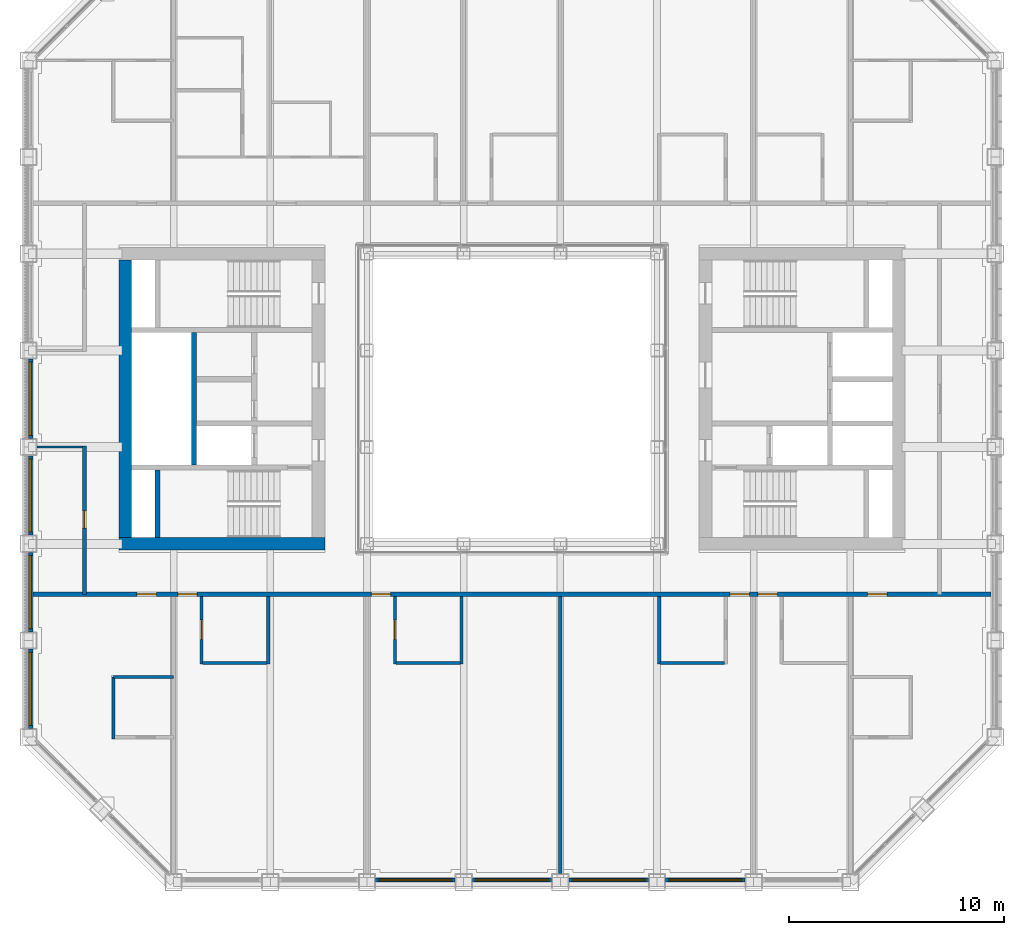
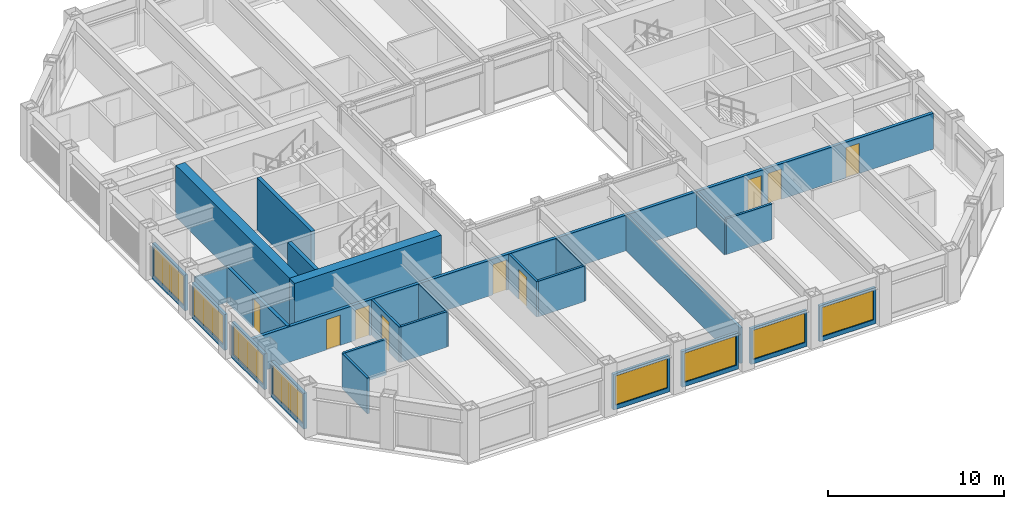
# One storey, part 10 of 17: 26 walls, 9 doors, 8 windows, 17 openings.
"""IFC4 building model written with IfcOpenShell, lengths in metres."""

from ifc_helpers import new_model, si_unit, direction, frame, frame_2d, origin, place, context, subcontext, project, spatial, rectangle, extrude, material, layer, layer_set, type_object, element, fill, save


model = new_model("IFC4")

# Units and contexts
model_context = context("Model", 3, precision=1e-05, world=origin(), true_north=direction((0.0, 1.0)))
body_context = subcontext(model_context, "Body", "Model", "MODEL_VIEW")
ifc_project = project(units=[si_unit("LENGTHUNIT", "METRE"), si_unit("AREAUNIT", "SQUARE_METRE"), si_unit("VOLUMEUNIT", "CUBIC_METRE"), si_unit("PLANEANGLEUNIT", "RADIAN"), si_unit("MASSUNIT", "GRAM", prefix="KILO")], contexts=[model_context])

# Site, building, storey
site_placement = place(None, origin())
site = spatial("IfcSite", under=ifc_project, at=site_placement, CompositionType="ELEMENT")
building_placement = place(site_placement, origin())
building = spatial("IfcBuilding", under=site, at=building_placement, Name="Msasa Ring Tower", CompositionType="ELEMENT")
storey_placement = place(building_placement, frame((0.0, 0.0, 176.0)))
storey = spatial("IfcBuildingStorey", under=building, at=storey_placement, Name="L46", CompositionType="ELEMENT", Elevation=176.0)

# Walls
ifc_material_1 = material(Name="Concrete C60/75", Category="concrete")
ifc_layer_1 = layer(ifc_material_1, 0.60009765625)
ifc_layer_set_1 = layer_set([ifc_layer_1], Name="CW2 CORE WALL 600")
wall_type_1 = type_object("IfcWallType", Name="CW2 CORE WALL 600", PredefinedType="SHEAR", material=ifc_layer_set_1)
wall_1_placement = place(storey_placement, frame((-8.699951171875, -6.75, 0.0), z_axis=(0.0, 0.0, 1.0), x_axis=(-1.0, 0.0, 0.0)))
element("IfcWall", 1, at=wall_1_placement, inside=storey, type_object=wall_type_1, Name="W core wall S L46", PredefinedType="SHEAR", context=body_context, shape_type="SweptSolid", body=[
    extrude(rectangle(XDim=9.60009765625, YDim=0.60009765625, at=frame_2d((4.800048828125, 0.0))), origin(), (0.0, 0.0, 1.0), 3.60009765625),
])
wall_2_placement = place(storey_placement, frame((-18.0, -6.449951171875, 0.0), z_axis=(0.0, 0.0, 1.0), x_axis=(0.0, 1.0, 0.0)))
element("IfcWall", 2, at=wall_2_placement, inside=storey, type_object=wall_type_1, Name="W core wall E L46", PredefinedType="SHEAR", context=body_context, shape_type="SweptSolid", body=[
    extrude(rectangle(XDim=12.89990234375, YDim=0.60009765625, at=frame_2d((6.449951171875, 0.0))), origin(), (0.0, 0.0, 1.0), 3.60009765625),
])
ifc_material_2 = material(Name="Concrete C60/75", Category="concrete")
ifc_layer_2 = layer(ifc_material_2, 0.25)
ifc_layer_set_2 = layer_set([ifc_layer_2], Name="CW4 CORE INNER WALL 250")
wall_type_2 = type_object("IfcWallType", Name="CW4 CORE INNER WALL 250", PredefinedType="SHEAR", material=ifc_layer_set_2)
wall_3_placement = place(storey_placement, frame((-16.5, -6.449951171875, 0.0), z_axis=(0.0, 0.0, 1.0), x_axis=(0.0, 1.0, 0.0)))
element("IfcWall", 3, at=wall_3_placement, inside=storey, type_object=wall_type_2, Name="W core wall RISERA L46", PredefinedType="SHEAR", context=body_context, shape_type="SweptSolid", body=[
    extrude(rectangle(XDim=3.125, YDim=0.25, at=frame_2d((1.5625, 0.0))), origin(), (0.0, 0.0, 1.0), 3.60009765625),
])
wall_4_placement = place(storey_placement, frame((-14.800048828125, -3.074951171875, 0.0), z_axis=(0.0, 0.0, 1.0), x_axis=(0.0, 1.0, 0.0)))
element("IfcWall", 4, at=wall_4_placement, inside=storey, type_object=wall_type_2, Name="W core wall SHAFT L46", PredefinedType="SHEAR", context=body_context, shape_type="SweptSolid", body=[
    extrude(rectangle(XDim=6.14990234375, YDim=0.25, at=frame_2d((3.074951171875, 0.0))), origin(), (0.0, 0.0, 1.0), 3.60009765625),
])

# Wall, opening, window
ifc_material_3 = material(Name="Terracotta rainscreen on blockwork", Category="masonry")
ifc_layer_3 = layer(ifc_material_3, 0.199951171875)
ifc_layer_set_3 = layer_set([ifc_layer_3], Name="FW1 TERRACOTTA-LINED INFILL BAY WALL 200")
wall_type_3 = type_object("IfcWallType", Name="FW1 TERRACOTTA-LINED INFILL BAY WALL 200", PredefinedType="SOLIDWALL", material=ifc_layer_set_3)
wall_5_placement = place(storey_placement, frame((-6.344970703125, -22.39990234375, 0.0), z_axis=(0.0, 0.0, 1.0), x_axis=(1.0, 0.0, 0.0)))
wall_5 = element("IfcWall", 5, at=wall_5_placement, inside=storey, type_object=wall_type_3, Name="Infill bay wall S L46 02", PredefinedType="SOLIDWALL", context=body_context, shape_type="SweptSolid", body=[
    extrude(rectangle(XDim=3.68994140625, YDim=0.199951171875, at=frame_2d((1.844970703125, 0.0))), origin(), (0.0, 0.0, 1.0), 2.47900390625),
])
opening_1_placement = place(wall_5_placement, frame((0.14501953125, 0.0, 0.300048828125)))
opening_1 = element("IfcOpeningElement", 6, at=opening_1_placement, cuts=wall_5, Name="Opening WN2", PredefinedType="OPENING", context=body_context, shape_type="SweptSolid", body=[
    extrude(rectangle(XDim=3.39990234375, YDim=2.029052734375, at=frame_2d((1.699951171875, 1.0146484375))), frame((0.0, 0.10986328125, 0.0), z_axis=(0.0, -1.0, 0.0), x_axis=(1.0, 0.0, 0.0)), (0.0, 0.0, 1.0), 0.219970703125),
])
ifc_material_4 = material(Name="Aluminium frame with clear glass", Category="aluminium")
window_type = type_object("IfcWindowType", Name="WN2 GUEST ROOM WINDOW 3400x2029", PartitioningType="SINGLE_PANEL", PredefinedType="WINDOW", material=ifc_material_4)
window_1_placement = place(opening_1_placement, origin())
window_1 = element("IfcWindow", 7, at=window_1_placement, inside=storey, type_object=window_type, Name="Window S L46 02", OverallHeight=2.029052734375, OverallWidth=3.39990234375, PartitioningType="SINGLE_PANEL", PredefinedType="WINDOW", context=body_context, shape_type="SweptSolid", body=[
    extrude(rectangle(XDim=3.39990234375, YDim=2.029052734375, at=frame_2d((1.699951171875, 1.0146484375))), frame((0.0, 0.030029296875, 0.0), z_axis=(0.0, -1.0, 0.0), x_axis=(1.0, 0.0, 0.0)), (0.0, 0.0, 1.0), 0.06005859375),
])
fill(opening_1, window_1)

wall_6_placement = place(storey_placement, frame((-1.844970703125, -22.39990234375, 0.0), z_axis=(0.0, 0.0, 1.0), x_axis=(1.0, 0.0, 0.0)))
wall_6 = element("IfcWall", 8, at=wall_6_placement, inside=storey, type_object=wall_type_3, Name="Infill bay wall S L46 03", PredefinedType="SOLIDWALL", context=body_context, shape_type="SweptSolid", body=[
    extrude(rectangle(XDim=3.68994140625, YDim=0.199951171875, at=frame_2d((1.844970703125, 0.0))), origin(), (0.0, 0.0, 1.0), 2.47900390625),
])
opening_2_placement = place(wall_6_placement, frame((0.14501953125, 0.0, 0.300048828125)))
opening_2 = element("IfcOpeningElement", 9, at=opening_2_placement, cuts=wall_6, Name="Opening WN2", PredefinedType="OPENING", context=body_context, shape_type="SweptSolid", body=[
    extrude(rectangle(XDim=3.39990234375, YDim=2.029052734375, at=frame_2d((1.699951171875, 1.0146484375))), frame((0.0, 0.10986328125, 0.0), z_axis=(0.0, -1.0, 0.0), x_axis=(1.0, 0.0, 0.0)), (0.0, 0.0, 1.0), 0.219970703125),
])
window_2_placement = place(opening_2_placement, origin())
window_2 = element("IfcWindow", 10, at=window_2_placement, inside=storey, type_object=window_type, Name="Window S L46 03", OverallHeight=2.029052734375, OverallWidth=3.39990234375, PartitioningType="SINGLE_PANEL", PredefinedType="WINDOW", context=body_context, shape_type="SweptSolid", body=[
    extrude(rectangle(XDim=3.39990234375, YDim=2.029052734375, at=frame_2d((1.699951171875, 1.0146484375))), frame((0.0, 0.030029296875, 0.0), z_axis=(0.0, -1.0, 0.0), x_axis=(1.0, 0.0, 0.0)), (0.0, 0.0, 1.0), 0.06005859375),
])
fill(opening_2, window_2)

wall_7_placement = place(storey_placement, frame((2.655029296875, -22.39990234375, 0.0), z_axis=(0.0, 0.0, 1.0), x_axis=(1.0, 0.0, 0.0)))
wall_7 = element("IfcWall", 11, at=wall_7_placement, inside=storey, type_object=wall_type_3, Name="Infill bay wall S L46 04", PredefinedType="SOLIDWALL", context=body_context, shape_type="SweptSolid", body=[
    extrude(rectangle(XDim=3.68994140625, YDim=0.199951171875, at=frame_2d((1.844970703125, 0.0))), origin(), (0.0, 0.0, 1.0), 2.47900390625),
])
opening_3_placement = place(wall_7_placement, frame((0.14501953125, 0.0, 0.300048828125)))
opening_3 = element("IfcOpeningElement", 12, at=opening_3_placement, cuts=wall_7, Name="Opening WN2", PredefinedType="OPENING", context=body_context, shape_type="SweptSolid", body=[
    extrude(rectangle(XDim=3.39990234375, YDim=2.029052734375, at=frame_2d((1.699951171875, 1.0146484375))), frame((0.0, 0.10986328125, 0.0), z_axis=(0.0, -1.0, 0.0), x_axis=(1.0, 0.0, 0.0)), (0.0, 0.0, 1.0), 0.219970703125),
])
window_3_placement = place(opening_3_placement, origin())
window_3 = element("IfcWindow", 13, at=window_3_placement, inside=storey, type_object=window_type, Name="Window S L46 04", OverallHeight=2.029052734375, OverallWidth=3.39990234375, PartitioningType="SINGLE_PANEL", PredefinedType="WINDOW", context=body_context, shape_type="SweptSolid", body=[
    extrude(rectangle(XDim=3.39990234375, YDim=2.029052734375, at=frame_2d((1.699951171875, 1.0146484375))), frame((0.0, 0.030029296875, 0.0), z_axis=(0.0, -1.0, 0.0), x_axis=(1.0, 0.0, 0.0)), (0.0, 0.0, 1.0), 0.06005859375),
])
fill(opening_3, window_3)

wall_8_placement = place(storey_placement, frame((7.155029296875, -22.39990234375, 0.0), z_axis=(0.0, 0.0, 1.0), x_axis=(1.0, 0.0, 0.0)))
wall_8 = element("IfcWall", 14, at=wall_8_placement, inside=storey, type_object=wall_type_3, Name="Infill bay wall S L46 05", PredefinedType="SOLIDWALL", context=body_context, shape_type="SweptSolid", body=[
    extrude(rectangle(XDim=3.68994140625, YDim=0.199951171875, at=frame_2d((1.844970703125, 0.0))), origin(), (0.0, 0.0, 1.0), 2.47900390625),
])
opening_4_placement = place(wall_8_placement, frame((0.14501953125, 0.0, 0.300048828125)))
opening_4 = element("IfcOpeningElement", 15, at=opening_4_placement, cuts=wall_8, Name="Opening WN2", PredefinedType="OPENING", context=body_context, shape_type="SweptSolid", body=[
    extrude(rectangle(XDim=3.39990234375, YDim=2.029052734375, at=frame_2d((1.699951171875, 1.0146484375))), frame((0.0, 0.10986328125, 0.0), z_axis=(0.0, -1.0, 0.0), x_axis=(1.0, 0.0, 0.0)), (0.0, 0.0, 1.0), 0.219970703125),
])
window_4_placement = place(opening_4_placement, origin())
window_4 = element("IfcWindow", 16, at=window_4_placement, inside=storey, type_object=window_type, Name="Window S L46 05", OverallHeight=2.029052734375, OverallWidth=3.39990234375, PartitioningType="SINGLE_PANEL", PredefinedType="WINDOW", context=body_context, shape_type="SweptSolid", body=[
    extrude(rectangle(XDim=3.39990234375, YDim=2.029052734375, at=frame_2d((1.699951171875, 1.0146484375))), frame((0.0, 0.030029296875, 0.0), z_axis=(0.0, -1.0, 0.0), x_axis=(1.0, 0.0, 0.0)), (0.0, 0.0, 1.0), 0.06005859375),
])
fill(opening_4, window_4)

wall_9_placement = place(storey_placement, frame((-22.39990234375, -15.344970703125, 0.0), z_axis=(0.0, 0.0, 1.0), x_axis=(0.0, 1.0, 0.0)))
wall_9 = element("IfcWall", 17, at=wall_9_placement, inside=storey, type_object=wall_type_3, Name="Infill bay wall W L46 27", PredefinedType="SOLIDWALL", context=body_context, shape_type="SweptSolid", body=[
    extrude(rectangle(XDim=3.68994140625, YDim=0.199951171875, at=frame_2d((1.844970703125, 0.0))), origin(), (0.0, 0.0, 1.0), 2.47900390625),
])
opening_5_placement = place(wall_9_placement, frame((0.14501953125, 0.0, 0.300048828125)))
opening_5 = element("IfcOpeningElement", 18, at=opening_5_placement, cuts=wall_9, Name="Opening WN2", PredefinedType="OPENING", context=body_context, shape_type="SweptSolid", body=[
    extrude(rectangle(XDim=3.39990234375, YDim=2.029052734375, at=frame_2d((1.699951171875, 1.0146484375))), frame((0.0, 0.10986328125, 0.0), z_axis=(0.0, -1.0, 0.0), x_axis=(1.0, 0.0, 0.0)), (0.0, 0.0, 1.0), 0.219970703125),
])
window_5_placement = place(opening_5_placement, origin())
window_5 = element("IfcWindow", 19, at=window_5_placement, inside=storey, type_object=window_type, Name="Window W L46 27", OverallHeight=2.029052734375, OverallWidth=3.39990234375, PartitioningType="SINGLE_PANEL", PredefinedType="WINDOW", context=body_context, shape_type="SweptSolid", body=[
    extrude(rectangle(XDim=3.39990234375, YDim=2.029052734375, at=frame_2d((1.699951171875, 1.0146484375))), frame((0.0, 0.030029296875, 0.0), z_axis=(0.0, -1.0, 0.0), x_axis=(1.0, 0.0, 0.0)), (0.0, 0.0, 1.0), 0.06005859375),
])
fill(opening_5, window_5)

wall_10_placement = place(storey_placement, frame((-22.39990234375, -10.844970703125, 0.0), z_axis=(0.0, 0.0, 1.0), x_axis=(0.0, 1.0, 0.0)))
wall_10 = element("IfcWall", 20, at=wall_10_placement, inside=storey, type_object=wall_type_3, Name="Infill bay wall W L46 28", PredefinedType="SOLIDWALL", context=body_context, shape_type="SweptSolid", body=[
    extrude(rectangle(XDim=3.68994140625, YDim=0.199951171875, at=frame_2d((1.844970703125, 0.0))), origin(), (0.0, 0.0, 1.0), 2.47900390625),
])
opening_6_placement = place(wall_10_placement, frame((0.14501953125, 0.0, 0.300048828125)))
opening_6 = element("IfcOpeningElement", 21, at=opening_6_placement, cuts=wall_10, Name="Opening WN2", PredefinedType="OPENING", context=body_context, shape_type="SweptSolid", body=[
    extrude(rectangle(XDim=3.39990234375, YDim=2.029052734375, at=frame_2d((1.699951171875, 1.0146484375))), frame((0.0, 0.10986328125, 0.0), z_axis=(0.0, -1.0, 0.0), x_axis=(1.0, 0.0, 0.0)), (0.0, 0.0, 1.0), 0.219970703125),
])
window_6_placement = place(opening_6_placement, origin())
window_6 = element("IfcWindow", 22, at=window_6_placement, inside=storey, type_object=window_type, Name="Window W L46 28", OverallHeight=2.029052734375, OverallWidth=3.39990234375, PartitioningType="SINGLE_PANEL", PredefinedType="WINDOW", context=body_context, shape_type="SweptSolid", body=[
    extrude(rectangle(XDim=3.39990234375, YDim=2.029052734375, at=frame_2d((1.699951171875, 1.0146484375))), frame((0.0, 0.030029296875, 0.0), z_axis=(0.0, -1.0, 0.0), x_axis=(1.0, 0.0, 0.0)), (0.0, 0.0, 1.0), 0.06005859375),
])
fill(opening_6, window_6)

wall_11_placement = place(storey_placement, frame((-22.39990234375, -6.344970703125, 0.0), z_axis=(0.0, 0.0, 1.0), x_axis=(0.0, 1.0, 0.0)))
wall_11 = element("IfcWall", 23, at=wall_11_placement, inside=storey, type_object=wall_type_3, Name="Infill bay wall W L46 29", PredefinedType="SOLIDWALL", context=body_context, shape_type="SweptSolid", body=[
    extrude(rectangle(XDim=3.68994140625, YDim=0.199951171875, at=frame_2d((1.844970703125, 0.0))), origin(), (0.0, 0.0, 1.0), 2.47900390625),
])
opening_7_placement = place(wall_11_placement, frame((0.14501953125, 0.0, 0.300048828125)))
opening_7 = element("IfcOpeningElement", 24, at=opening_7_placement, cuts=wall_11, Name="Opening WN2", PredefinedType="OPENING", context=body_context, shape_type="SweptSolid", body=[
    extrude(rectangle(XDim=3.39990234375, YDim=2.029052734375, at=frame_2d((1.699951171875, 1.0146484375))), frame((0.0, 0.10986328125, 0.0), z_axis=(0.0, -1.0, 0.0), x_axis=(1.0, 0.0, 0.0)), (0.0, 0.0, 1.0), 0.219970703125),
])
window_7_placement = place(opening_7_placement, origin())
window_7 = element("IfcWindow", 25, at=window_7_placement, inside=storey, type_object=window_type, Name="Window W L46 29", OverallHeight=2.029052734375, OverallWidth=3.39990234375, PartitioningType="SINGLE_PANEL", PredefinedType="WINDOW", context=body_context, shape_type="SweptSolid", body=[
    extrude(rectangle(XDim=3.39990234375, YDim=2.029052734375, at=frame_2d((1.699951171875, 1.0146484375))), frame((0.0, 0.030029296875, 0.0), z_axis=(0.0, -1.0, 0.0), x_axis=(1.0, 0.0, 0.0)), (0.0, 0.0, 1.0), 0.06005859375),
])
fill(opening_7, window_7)

wall_12_placement = place(storey_placement, frame((-22.39990234375, -1.844970703125, 0.0), z_axis=(0.0, 0.0, 1.0), x_axis=(0.0, 1.0, 0.0)))
wall_12 = element("IfcWall", 26, at=wall_12_placement, inside=storey, type_object=wall_type_3, Name="Infill bay wall W L46 30", PredefinedType="SOLIDWALL", context=body_context, shape_type="SweptSolid", body=[
    extrude(rectangle(XDim=3.68994140625, YDim=0.199951171875, at=frame_2d((1.844970703125, 0.0))), origin(), (0.0, 0.0, 1.0), 2.47900390625),
])
opening_8_placement = place(wall_12_placement, frame((0.14501953125, 0.0, 0.300048828125)))
opening_8 = element("IfcOpeningElement", 27, at=opening_8_placement, cuts=wall_12, Name="Opening WN2", PredefinedType="OPENING", context=body_context, shape_type="SweptSolid", body=[
    extrude(rectangle(XDim=3.39990234375, YDim=2.029052734375, at=frame_2d((1.699951171875, 1.0146484375))), frame((0.0, 0.10986328125, 0.0), z_axis=(0.0, -1.0, 0.0), x_axis=(1.0, 0.0, 0.0)), (0.0, 0.0, 1.0), 0.219970703125),
])
window_8_placement = place(opening_8_placement, origin())
window_8 = element("IfcWindow", 28, at=window_8_placement, inside=storey, type_object=window_type, Name="Window W L46 30", OverallHeight=2.029052734375, OverallWidth=3.39990234375, PartitioningType="SINGLE_PANEL", PredefinedType="WINDOW", context=body_context, shape_type="SweptSolid", body=[
    extrude(rectangle(XDim=3.39990234375, YDim=2.029052734375, at=frame_2d((1.699951171875, 1.0146484375))), frame((0.0, 0.030029296875, 0.0), z_axis=(0.0, -1.0, 0.0), x_axis=(1.0, 0.0, 0.0)), (0.0, 0.0, 1.0), 0.06005859375),
])
fill(opening_8, window_8)

# Wall, openings, doors
ifc_material_5 = material(Name="Concrete blockwork", Category="masonry")
ifc_layer_4 = layer(ifc_material_5, 0.199951171875)
ifc_layer_set_4 = layer_set([ifc_layer_4], Name="PT1 CORRIDOR WALL 200")
wall_type_4 = type_object("IfcWallType", Name="PT1 CORRIDOR WALL 200", PredefinedType="PARTITIONING", material=ifc_layer_set_4)
wall_13_placement = place(storey_placement, frame((-22.300048828125, -9.10009765625, 0.0), z_axis=(0.0, 0.0, 1.0), x_axis=(1.0, 0.0, 0.0)))
wall_13 = element("IfcWall", 29, at=wall_13_placement, inside=storey, type_object=wall_type_4, Name="Corridor wall L46-CORRS0", PredefinedType="PARTITIONING", context=body_context, shape_type="SweptSolid", body=[
    extrude(rectangle(XDim=44.60009765625, YDim=0.199951171875, at=frame_2d((22.300048828125, 0.0))), origin(), (0.0, 0.0, 1.0), 2.473388671875),
])
opening_9_placement = place(wall_13_placement, frame((6.75, 0.0, 0.0)))
opening_9 = element("IfcOpeningElement", 30, at=opening_9_placement, cuts=wall_13, Name="Opening HF-035", PredefinedType="OPENING", context=body_context, shape_type="SweptSolid", body=[
    extrude(rectangle(XDim=0.89990234375, YDim=2.10009765625, at=frame_2d((0.449951171875, 1.050048828125))), frame((0.0, 0.10986328125, 0.0), z_axis=(0.0, -1.0, 0.0), x_axis=(1.0, 0.0, 0.0)), (0.0, 0.0, 1.0), 0.219970703125),
])
opening_10_placement = place(wall_13_placement, frame((15.75, 0.0, 0.0)))
opening_10 = element("IfcOpeningElement", 31, at=opening_10_placement, cuts=wall_13, Name="Opening HF-036", PredefinedType="OPENING", context=body_context, shape_type="SweptSolid", body=[
    extrude(rectangle(XDim=0.89990234375, YDim=2.10009765625, at=frame_2d((0.449951171875, 1.050048828125))), frame((0.0, 0.10986328125, 0.0), z_axis=(0.0, -1.0, 0.0), x_axis=(1.0, 0.0, 0.0)), (0.0, 0.0, 1.0), 0.219970703125),
])
opening_11_placement = place(wall_13_placement, frame((32.449951171875, 0.0, 0.0)))
opening_11 = element("IfcOpeningElement", 32, at=opening_11_placement, cuts=wall_13, Name="Opening HF-037", PredefinedType="OPENING", context=body_context, shape_type="SweptSolid", body=[
    extrude(rectangle(XDim=0.89990234375, YDim=2.10009765625, at=frame_2d((0.449951171875, 1.050048828125))), frame((0.0, 0.10986328125, 0.0), z_axis=(0.0, -1.0, 0.0), x_axis=(1.0, 0.0, 0.0)), (0.0, 0.0, 1.0), 0.219970703125),
])
opening_12_placement = place(wall_13_placement, frame((33.75, 0.0, 0.0)))
opening_12 = element("IfcOpeningElement", 33, at=opening_12_placement, cuts=wall_13, Name="Opening HF-038", PredefinedType="OPENING", context=body_context, shape_type="SweptSolid", body=[
    extrude(rectangle(XDim=0.89990234375, YDim=2.10009765625, at=frame_2d((0.449951171875, 1.050048828125))), frame((0.0, 0.10986328125, 0.0), z_axis=(0.0, -1.0, 0.0), x_axis=(1.0, 0.0, 0.0)), (0.0, 0.0, 1.0), 0.219970703125),
])
opening_13_placement = place(wall_13_placement, frame((38.85009765625, 0.0, 0.0)))
opening_13 = element("IfcOpeningElement", 34, at=opening_13_placement, cuts=wall_13, Name="Opening HF-039", PredefinedType="OPENING", context=body_context, shape_type="SweptSolid", body=[
    extrude(rectangle(XDim=0.89990234375, YDim=2.10009765625, at=frame_2d((0.449951171875, 1.050048828125))), frame((0.0, 0.10986328125, 0.0), z_axis=(0.0, -1.0, 0.0), x_axis=(1.0, 0.0, 0.0)), (0.0, 0.0, 1.0), 0.219970703125),
])
opening_14_placement = place(wall_13_placement, frame((4.85009765625, 0.0, 0.0)))
opening_14 = element("IfcOpeningElement", 35, at=opening_14_placement, cuts=wall_13, Name="Opening HF-034", PredefinedType="OPENING", context=body_context, shape_type="SweptSolid", body=[
    extrude(rectangle(XDim=0.89990234375, YDim=2.10009765625, at=frame_2d((0.449951171875, 1.050048828125))), frame((0.0, 0.10986328125, 0.0), z_axis=(0.0, -1.0, 0.0), x_axis=(1.0, 0.0, 0.0)), (0.0, 0.0, 1.0), 0.219970703125),
])
ifc_material_6 = material(Name="Timber door leaf in a steel frame", Category="steel")
door_type_1 = type_object("IfcDoorType", Name="D1 SINGLE DOOR TO CORRIDOR 900x2100", OperationType="SINGLE_SWING_LEFT", PredefinedType="DOOR", material=ifc_material_6)
door_1_placement = place(opening_9_placement, origin())
door_1 = element("IfcDoor", 36, at=door_1_placement, inside=storey, type_object=door_type_1, Name="Door L46-GS00", OperationType="SINGLE_SWING_LEFT", OverallHeight=2.10009765625, OverallWidth=0.89990234375, PredefinedType="DOOR", context=body_context, shape_type="SweptSolid", body=[
    extrude(rectangle(XDim=0.89990234375, YDim=2.10009765625, at=frame_2d((0.449951171875, 1.050048828125))), frame((0.0, 0.02490234375, 0.0), z_axis=(0.0, -1.0, 0.0), x_axis=(1.0, 0.0, 0.0)), (0.0, 0.0, 1.0), 0.050048828125),
])
fill(opening_9, door_1)
door_2_placement = place(opening_10_placement, origin())
door_2 = element("IfcDoor", 37, at=door_2_placement, inside=storey, type_object=door_type_1, Name="Door L46-GS01", OperationType="SINGLE_SWING_LEFT", OverallHeight=2.10009765625, OverallWidth=0.89990234375, PredefinedType="DOOR", context=body_context, shape_type="SweptSolid", body=[
    extrude(rectangle(XDim=0.89990234375, YDim=2.10009765625, at=frame_2d((0.449951171875, 1.050048828125))), frame((0.0, 0.02490234375, 0.0), z_axis=(0.0, -1.0, 0.0), x_axis=(1.0, 0.0, 0.0)), (0.0, 0.0, 1.0), 0.050048828125),
])
fill(opening_10, door_2)
door_3_placement = place(opening_11_placement, origin())
door_3 = element("IfcDoor", 38, at=door_3_placement, inside=storey, type_object=door_type_1, Name="Door L46-GS02", OperationType="SINGLE_SWING_RIGHT", OverallHeight=2.10009765625, OverallWidth=0.89990234375, PredefinedType="DOOR", context=body_context, shape_type="SweptSolid", body=[
    extrude(rectangle(XDim=0.89990234375, YDim=2.10009765625, at=frame_2d((0.449951171875, 1.050048828125))), frame((0.0, 0.02490234375, 0.0), z_axis=(0.0, -1.0, 0.0), x_axis=(1.0, 0.0, 0.0)), (0.0, 0.0, 1.0), 0.050048828125),
])
fill(opening_11, door_3)
door_4_placement = place(opening_12_placement, origin())
door_4 = element("IfcDoor", 39, at=door_4_placement, inside=storey, type_object=door_type_1, Name="Door L46-GS03", OperationType="SINGLE_SWING_RIGHT", OverallHeight=2.10009765625, OverallWidth=0.89990234375, PredefinedType="DOOR", context=body_context, shape_type="SweptSolid", body=[
    extrude(rectangle(XDim=0.89990234375, YDim=2.10009765625, at=frame_2d((0.449951171875, 1.050048828125))), frame((0.0, 0.02490234375, 0.0), z_axis=(0.0, -1.0, 0.0), x_axis=(1.0, 0.0, 0.0)), (0.0, 0.0, 1.0), 0.050048828125),
])
fill(opening_12, door_4)
ifc_material_7 = material(Name="Timber door leaf in a steel frame", Category="steel")
door_type_2 = type_object("IfcDoorType", Name="D2 ENTRANCE DOOR 900x2100", OperationType="SINGLE_SWING_LEFT", PredefinedType="DOOR", material=ifc_material_7)
door_5_placement = place(opening_13_placement, origin())
door_5 = element("IfcDoor", 40, at=door_5_placement, inside=storey, type_object=door_type_2, Name="Door L46-CSSE", OperationType="SINGLE_SWING_RIGHT", OverallHeight=2.10009765625, OverallWidth=0.89990234375, PredefinedType="DOOR", context=body_context, shape_type="SweptSolid", body=[
    extrude(rectangle(XDim=0.89990234375, YDim=2.10009765625, at=frame_2d((0.449951171875, 1.050048828125))), frame((0.0, 0.02490234375, 0.0), z_axis=(0.0, -1.0, 0.0), x_axis=(1.0, 0.0, 0.0)), (0.0, 0.0, 1.0), 0.050048828125),
])
fill(opening_13, door_5)
door_6_placement = place(opening_14_placement, origin())
door_6 = element("IfcDoor", 41, at=door_6_placement, inside=storey, type_object=door_type_2, Name="Door L46-CSSW", OperationType="SINGLE_SWING_LEFT", OverallHeight=2.10009765625, OverallWidth=0.89990234375, PredefinedType="DOOR", context=body_context, shape_type="SweptSolid", body=[
    extrude(rectangle(XDim=0.89990234375, YDim=2.10009765625, at=frame_2d((0.449951171875, 1.050048828125))), frame((0.0, 0.02490234375, 0.0), z_axis=(0.0, -1.0, 0.0), x_axis=(1.0, 0.0, 0.0)), (0.0, 0.0, 1.0), 0.050048828125),
])
fill(opening_14, door_6)

# Wall, opening, door
wall_14_placement = place(storey_placement, frame((-19.89990234375, -9.10009765625, 0.0), z_axis=(0.0, 0.0, 1.0), x_axis=(0.0, 1.0, 0.0)))
wall_14 = element("IfcWall", 42, at=wall_14_placement, inside=storey, type_object=wall_type_4, Name="Corridor wall L46-STRWS", PredefinedType="PARTITIONING", context=body_context, shape_type="SweptSolid", body=[
    extrude(rectangle(XDim=6.900146484375, YDim=0.199951171875, at=frame_2d((3.4501953125, 0.0))), origin(), (0.0, 0.0, 1.0), 2.473388671875),
])
opening_15_placement = place(wall_14_placement, frame((3.074951171875, 0.0, 0.0)))
opening_15 = element("IfcOpeningElement", 43, at=opening_15_placement, cuts=wall_14, Name="Opening HF-033", PredefinedType="OPENING", context=body_context, shape_type="SweptSolid", body=[
    extrude(rectangle(XDim=0.800048828125, YDim=2.10009765625, at=frame_2d((0.39990234375, 1.050048828125))), frame((0.0, 0.10986328125, 0.0), z_axis=(0.0, -1.0, 0.0), x_axis=(1.0, 0.0, 0.0)), (0.0, 0.0, 1.0), 0.219970703125),
])
ifc_material_8 = material(Name="Timber door leaf in a steel frame", Category="steel")
door_type_3 = type_object("IfcDoorType", Name="D11 NARROW STORE DOOR 800x2100", OperationType="SINGLE_SWING_LEFT", PredefinedType="DOOR", material=ifc_material_8)
door_7_placement = place(opening_15_placement, origin())
door_7 = element("IfcDoor", 44, at=door_7_placement, inside=storey, type_object=door_type_3, Name="Door L46-CLW", OperationType="SINGLE_SWING_LEFT", OverallHeight=2.10009765625, OverallWidth=0.800048828125, PredefinedType="DOOR", context=body_context, shape_type="SweptSolid", body=[
    extrude(rectangle(XDim=0.800048828125, YDim=2.10009765625, at=frame_2d((0.39990234375, 1.050048828125))), frame((0.0, 0.02490234375, 0.0), z_axis=(0.0, -1.0, 0.0), x_axis=(1.0, 0.0, 0.0)), (0.0, 0.0, 1.0), 0.050048828125),
])
fill(opening_15, door_7)

# Wall
ifc_material_9 = material(Name="Gypsum board on steel studs", Category="steel")
ifc_layer_5 = layer(ifc_material_9, 0.10009765625)
ifc_layer_set_5 = layer_set([ifc_layer_5], Name="PT2 STUD PARTITION 100")
wall_type_5 = type_object("IfcWallType", Name="PT2 STUD PARTITION 100", PredefinedType="PARTITIONING", material=ifc_layer_set_5)
wall_15_placement = place(storey_placement, frame((-22.10009765625, -2.25, 0.0), z_axis=(0.0, 0.0, 1.0), x_axis=(1.0, 0.0, 0.0)))
element("IfcWall", 45, at=wall_15_placement, inside=storey, type_object=wall_type_5, Name="Partition L46-ALWS", PredefinedType="PARTITIONING", context=body_context, shape_type="SweptSolid", body=[
    extrude(rectangle(XDim=2.10009765625, YDim=0.10009765625, at=frame_2d((1.050048828125, 0.0))), origin(), (0.0, 0.0, 1.0), 2.473388671875),
])

# Wall, opening, door
ifc_material_10 = material(Name="Moisture-resistant board on steel studs with a concealed cistern and pipe void, tiled", Category="steel")
ifc_layer_6 = layer(ifc_material_10, 0.14990234375)
ifc_layer_set_6 = layer_set([ifc_layer_6], Name="PT4 BATHROOM WET WALL 150")
wall_type_6 = type_object("IfcWallType", Name="PT4 BATHROOM WET WALL 150", PredefinedType="PARTITIONING", material=ifc_layer_set_6)
wall_16_placement = place(storey_placement, frame((-14.449951171875, -12.35009765625, 0.0), z_axis=(0.0, 0.0, 1.0), x_axis=(0.0, 1.0, 0.0)))
wall_16 = element("IfcWall", 46, at=wall_16_placement, inside=storey, type_object=wall_type_6, Name="Partition L46-GS00BX", PredefinedType="PARTITIONING", context=body_context, shape_type="SweptSolid", body=[
    extrude(rectangle(XDim=3.150146484375, YDim=0.14990234375, at=frame_2d((1.5751953125, 0.0))), origin(), (0.0, 0.0, 1.0), 2.473388671875),
])
opening_16_placement = place(wall_16_placement, frame((1.14990234375, 0.0, 0.0)))
opening_16 = element("IfcOpeningElement", 47, at=opening_16_placement, cuts=wall_16, Name="Opening HF-040", PredefinedType="OPENING", context=body_context, shape_type="SweptSolid", body=[
    extrude(rectangle(XDim=0.89990234375, YDim=2.10009765625, at=frame_2d((0.449951171875, 1.050048828125))), frame((0.0, 0.0849609375, 0.0), z_axis=(0.0, -1.0, 0.0), x_axis=(1.0, 0.0, 0.0)), (0.0, 0.0, 1.0), 0.169921875),
])
ifc_material_11 = material(Name="Timber door leaf in a steel frame", Category="steel")
door_type_4 = type_object("IfcDoorType", Name="D3 BATHROOM DOOR 900x2100", OperationType="SINGLE_SWING_LEFT", PredefinedType="DOOR", material=ifc_material_11)
door_8_placement = place(opening_16_placement, origin())
door_8 = element("IfcDoor", 48, at=door_8_placement, inside=storey, type_object=door_type_4, Name="Door L46-GS00B", OperationType="SINGLE_SWING_LEFT", OverallHeight=2.10009765625, OverallWidth=0.89990234375, PredefinedType="DOOR", context=body_context, shape_type="SweptSolid", body=[
    extrude(rectangle(XDim=0.89990234375, YDim=2.10009765625, at=frame_2d((0.449951171875, 1.050048828125))), frame((0.0, 0.02490234375, 0.0), z_axis=(0.0, -1.0, 0.0), x_axis=(1.0, 0.0, 0.0)), (0.0, 0.0, 1.0), 0.050048828125),
])
fill(opening_16, door_8)

# Walls
wall_17_placement = place(storey_placement, frame((-11.35009765625, -12.35009765625, 0.0), z_axis=(0.0, 0.0, 1.0), x_axis=(0.0, 1.0, 0.0)))
element("IfcWall", 49, at=wall_17_placement, inside=storey, type_object=wall_type_6, Name="Partition L46-GS00BF", PredefinedType="PARTITIONING", context=body_context, shape_type="SweptSolid", body=[
    extrude(rectangle(XDim=3.150146484375, YDim=0.14990234375, at=frame_2d((1.5751953125, 0.0))), origin(), (0.0, 0.0, 1.0), 2.473388671875),
])
wall_18_placement = place(storey_placement, frame((-14.39990234375, -12.300048828125, 0.0), z_axis=(0.0, 0.0, 1.0), x_axis=(1.0, 0.0, 0.0)))
element("IfcWall", 50, at=wall_18_placement, inside=storey, type_object=wall_type_6, Name="Partition L46-GS00BY", PredefinedType="PARTITIONING", context=body_context, shape_type="SweptSolid", body=[
    extrude(rectangle(XDim=3.0, YDim=0.14990234375, at=frame_2d((1.5, 0.0))), origin(), (0.0, 0.0, 1.0), 2.473388671875),
])

# Wall, opening, door
wall_19_placement = place(storey_placement, frame((-5.449951171875, -12.35009765625, 0.0), z_axis=(0.0, 0.0, 1.0), x_axis=(0.0, 1.0, 0.0)))
wall_19 = element("IfcWall", 51, at=wall_19_placement, inside=storey, type_object=wall_type_6, Name="Partition L46-GS01BX", PredefinedType="PARTITIONING", context=body_context, shape_type="SweptSolid", body=[
    extrude(rectangle(XDim=3.150146484375, YDim=0.14990234375, at=frame_2d((1.5751953125, 0.0))), origin(), (0.0, 0.0, 1.0), 2.473388671875),
])
opening_17_placement = place(wall_19_placement, frame((1.14990234375, 0.0, 0.0)))
opening_17 = element("IfcOpeningElement", 52, at=opening_17_placement, cuts=wall_19, Name="Opening HF-041", PredefinedType="OPENING", context=body_context, shape_type="SweptSolid", body=[
    extrude(rectangle(XDim=0.89990234375, YDim=2.10009765625, at=frame_2d((0.449951171875, 1.050048828125))), frame((0.0, 0.0849609375, 0.0), z_axis=(0.0, -1.0, 0.0), x_axis=(1.0, 0.0, 0.0)), (0.0, 0.0, 1.0), 0.169921875),
])
door_9_placement = place(opening_17_placement, origin())
door_9 = element("IfcDoor", 53, at=door_9_placement, inside=storey, type_object=door_type_4, Name="Door L46-GS01B", OperationType="SINGLE_SWING_LEFT", OverallHeight=2.10009765625, OverallWidth=0.89990234375, PredefinedType="DOOR", context=body_context, shape_type="SweptSolid", body=[
    extrude(rectangle(XDim=0.89990234375, YDim=2.10009765625, at=frame_2d((0.449951171875, 1.050048828125))), frame((0.0, 0.02490234375, 0.0), z_axis=(0.0, -1.0, 0.0), x_axis=(1.0, 0.0, 0.0)), (0.0, 0.0, 1.0), 0.050048828125),
])
fill(opening_17, door_9)

# Walls
wall_20_placement = place(storey_placement, frame((-2.35009765625, -12.35009765625, 0.0), z_axis=(0.0, 0.0, 1.0), x_axis=(0.0, 1.0, 0.0)))
element("IfcWall", 54, at=wall_20_placement, inside=storey, type_object=wall_type_6, Name="Partition L46-GS01BF", PredefinedType="PARTITIONING", context=body_context, shape_type="SweptSolid", body=[
    extrude(rectangle(XDim=3.150146484375, YDim=0.14990234375, at=frame_2d((1.5751953125, 0.0))), origin(), (0.0, 0.0, 1.0), 2.473388671875),
])
wall_21_placement = place(storey_placement, frame((-5.39990234375, -12.300048828125, 0.0), z_axis=(0.0, 0.0, 1.0), x_axis=(1.0, 0.0, 0.0)))
element("IfcWall", 55, at=wall_21_placement, inside=storey, type_object=wall_type_6, Name="Partition L46-GS01BY", PredefinedType="PARTITIONING", context=body_context, shape_type="SweptSolid", body=[
    extrude(rectangle(XDim=3.0, YDim=0.14990234375, at=frame_2d((1.5, 0.0))), origin(), (0.0, 0.0, 1.0), 2.473388671875),
])
wall_22_placement = place(storey_placement, frame((6.85009765625, -12.35009765625, 0.0), z_axis=(0.0, 0.0, 1.0), x_axis=(0.0, 1.0, 0.0)))
element("IfcWall", 56, at=wall_22_placement, inside=storey, type_object=wall_type_6, Name="Partition L46-GS02BF", PredefinedType="PARTITIONING", context=body_context, shape_type="SweptSolid", body=[
    extrude(rectangle(XDim=3.150146484375, YDim=0.14990234375, at=frame_2d((1.5751953125, 0.0))), origin(), (0.0, 0.0, 1.0), 2.473388671875),
])
wall_23_placement = place(storey_placement, frame((6.89990234375, -12.300048828125, 0.0), z_axis=(0.0, 0.0, 1.0), x_axis=(1.0, 0.0, 0.0)))
element("IfcWall", 57, at=wall_23_placement, inside=storey, type_object=wall_type_6, Name="Partition L46-GS02BY", PredefinedType="PARTITIONING", context=body_context, shape_type="SweptSolid", body=[
    extrude(rectangle(XDim=3.0, YDim=0.14990234375, at=frame_2d((1.5, 0.0))), origin(), (0.0, 0.0, 1.0), 2.473388671875),
])
wall_24_placement = place(storey_placement, frame((-18.550048828125, -15.824951171875, 0.0), z_axis=(0.0, 0.0, 1.0), x_axis=(0.0, 1.0, 0.0)))
element("IfcWall", 58, at=wall_24_placement, inside=storey, type_object=wall_type_6, Name="Partition L46-CSSWBX", PredefinedType="PARTITIONING", context=body_context, shape_type="SweptSolid", body=[
    extrude(rectangle(XDim=2.875, YDim=0.14990234375, at=frame_2d((1.4375, 0.0))), origin(), (0.0, 0.0, 1.0), 2.473388671875),
])
wall_25_placement = place(storey_placement, frame((-18.550048828125, -12.949951171875, 0.0), z_axis=(0.0, 0.0, 1.0), x_axis=(1.0, 0.0, 0.0)))
element("IfcWall", 59, at=wall_25_placement, inside=storey, type_object=wall_type_6, Name="Partition L46-CSSWBY", PredefinedType="PARTITIONING", context=body_context, shape_type="SweptSolid", body=[
    extrude(rectangle(XDim=2.800048828125, YDim=0.14990234375, at=frame_2d((1.39990234375, 0.0))), origin(), (0.0, 0.0, 1.0), 2.473388671875),
])
ifc_material_12 = material(Name="Twin steel studs, two layers of acoustic board each face, mineral wool", Category="steel")
ifc_layer_7 = layer(ifc_material_12, 0.175048828125)
ifc_layer_set_7 = layer_set([ifc_layer_7], Name="PT5 GUEST ROOM SEPARATING WALL 175")
wall_type_7 = type_object("IfcWallType", Name="PT5 GUEST ROOM SEPARATING WALL 175", PredefinedType="PARTITIONING", material=ifc_layer_set_7)
wall_26_placement = place(storey_placement, frame((2.25, -22.10009765625, 0.0), z_axis=(0.0, 0.0, 1.0), x_axis=(0.0, 1.0, 0.0)))
element("IfcWall", 60, at=wall_26_placement, inside=storey, type_object=wall_type_7, Name="Partition L46-PWS+2.25", PredefinedType="PARTITIONING", context=body_context, shape_type="SweptSolid", body=[
    extrude(rectangle(XDim=12.900146484375, YDim=0.175048828125, at=frame_2d((6.4501953125, 0.0))), origin(), (0.0, 0.0, 1.0), 2.473388671875),
])

save(model, "model.ifc")
